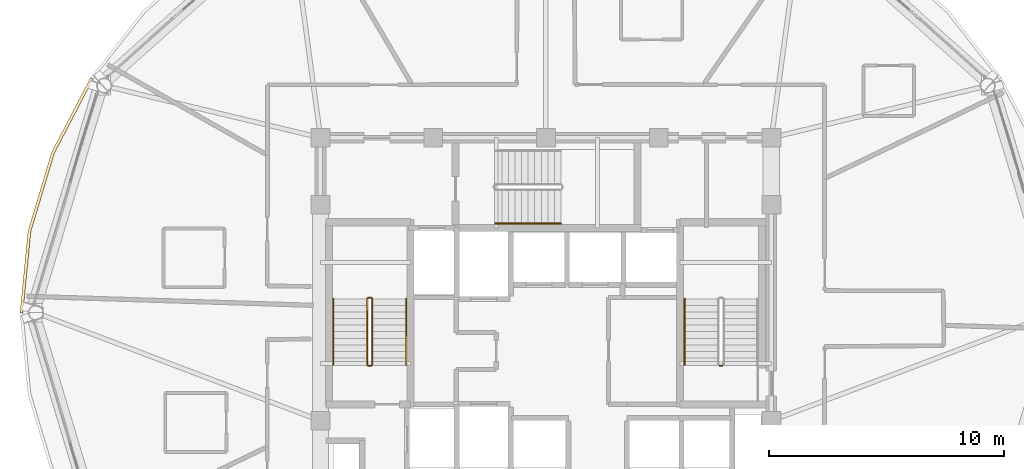
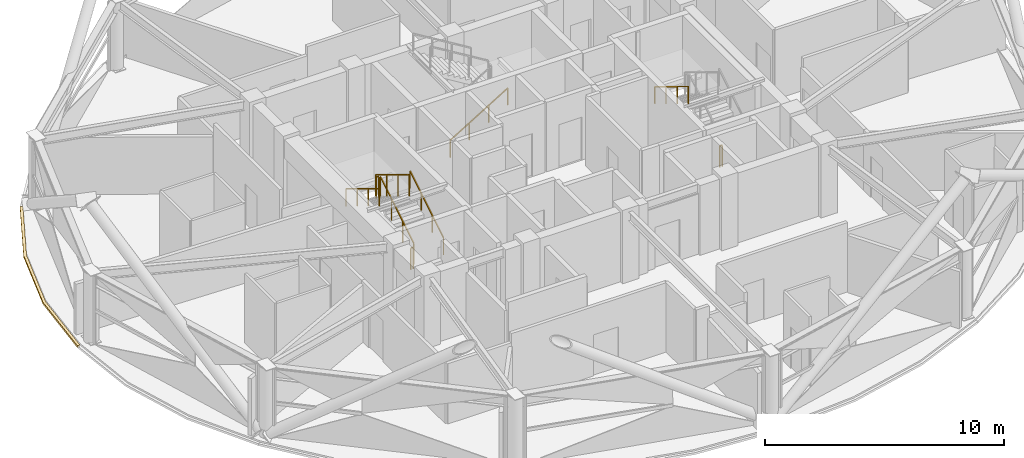
# One storey, part 27 of 29: 9 railings, 1 covering.
"""IFC4 building model written with IfcOpenShell, lengths in metres."""

from ifc_helpers import new_model, si_unit, direction, frame, origin, origin_2d, place, context, subcontext, project, spatial, polyline, rectangle, outline, extrude, material, layer, layer_set, type_object, element, save


model = new_model("IFC4")

# Units and contexts
model_context = context("Model", 3, precision=1e-05, world=origin(), true_north=direction((0.0, 1.0)))
body_context = subcontext(model_context, "Body", "Model", "MODEL_VIEW")
ifc_project = project(units=[si_unit("LENGTHUNIT", "METRE"), si_unit("AREAUNIT", "SQUARE_METRE"), si_unit("VOLUMEUNIT", "CUBIC_METRE"), si_unit("PLANEANGLEUNIT", "RADIAN"), si_unit("MASSUNIT", "GRAM", prefix="KILO")], contexts=[model_context])

# Site, building, storey
site_placement = place(None, origin())
site = spatial("IfcSite", under=ifc_project, at=site_placement, CompositionType="ELEMENT")
building_placement = place(site_placement, origin())
building = spatial("IfcBuilding", under=site, at=building_placement, Name="Vantalir Tower", CompositionType="ELEMENT")
storey_placement = place(building_placement, frame((0.0, 0.0, 234.89990234375)))
storey = spatial("IfcBuildingStorey", under=building, at=storey_placement, Name="L59", CompositionType="ELEMENT", Elevation=234.89990234375)

# Covering
ifc_material_1 = material(Name="Anodised champagne aluminium sill fascia", Category="aluminium")
ifc_layer = layer(ifc_material_1, 0.125)
ifc_layer_set = layer_set([ifc_layer], Name="Anodised champagne aluminium sill fascia")
covering_type = type_object("IfcCoveringType", Name="COV-SLAB-FASCIA-125", PredefinedType="CLADDING", material=ifc_layer_set)
covering_placement = place(storey_placement, frame((0.0, 0.0, -0.179931640625)))
element("IfcCovering", 1, at=covering_placement, inside=storey, type_object=covering_type, Name="L59 Perimeter Slab-Edge Sill Fascia 06", PredefinedType="CLADDING", context=body_context, shape_type="SweptSolid", body=[
    extrude(outline(polyline([(12.10693359375, 35.00390625), (10.45703125, 31.843017578125), (9.447021484375, 28.47412109375), (9.10693359375, 25.0), (9.23193359375, 25.0), (9.570068359375, 28.452880859375), (10.574951171875, 31.800048828125), (12.215087890625, 34.94091796875), (12.10693359375, 35.00390625)])), origin(), (0.0, 0.0, 1.0), 0.10498046875),
])

# Railings
ifc_material_2 = material(Name="Anodised aluminium and stainless steel guard", Category="steel")
railing_type_1 = type_object("IfcRailingType", Name="RAL-GUARD-1120", PredefinedType="GUARDRAIL", material=ifc_material_2)
railing_1_placement = place(storey_placement, frame((24.110107421875, 22.7900390625, 0.170654296875)))
element("IfcRailing", 2, at=railing_1_placement, inside=storey, type_object=railing_type_1, Name="L59 ST1 stair guard 1", PredefinedType="GUARDRAIL", context=body_context, shape_type="SweptSolid", body=[
    extrude(rectangle(XDim=0.048095703125, YDim=0.048095703125, at=origin_2d()), frame((0.0, 0.0, 1.09619140625), z_axis=(0.0, 0.854202870247, 0.519939858505), x_axis=(-1.0, 0.0, 0.0)), (0.0, 0.0, 1.0), 3.278076171875),
    extrude(rectangle(XDim=0.0419921875, YDim=0.0419921875, at=origin_2d()), origin(), (0.0, 0.0, 1.0), 1.072021484375),
    extrude(rectangle(XDim=0.0419921875, YDim=0.0419921875, at=origin_2d()), frame((0.0, 0.933349609375, 0.568115234375)), (0.0, 0.0, 1.0), 1.072021484375),
    extrude(rectangle(XDim=0.0419921875, YDim=0.0419921875, at=origin_2d()), frame((0.0, 1.86669921875, 1.13623046875)), (0.0, 0.0, 1.0), 1.072021484375),
    extrude(rectangle(XDim=0.0419921875, YDim=0.0419921875, at=origin_2d()), frame((0.0, 2.800048828125, 1.704345703125)), (0.0, 0.0, 1.0), 1.072021484375),
])
railing_2_placement = place(storey_placement, frame((24.06005859375, 25.639892578125, 1.875)))
element("IfcRailing", 3, at=railing_2_placement, inside=storey, type_object=railing_type_1, Name="L59 ST1 stair guard 2", PredefinedType="GUARDRAIL", context=body_context, shape_type="SweptSolid", body=[
    extrude(rectangle(XDim=0.048095703125, YDim=0.048095703125, at=origin_2d()), frame((0.0, 0.0, 1.09619140625), z_axis=(-1.0, 0.0, 0.0), x_axis=(0.0, -1.0, 0.0)), (0.0, 0.0, 1.0), 0.1201171875),
    extrude(rectangle(XDim=0.0419921875, YDim=0.0419921875, at=origin_2d()), origin(), (0.0, 0.0, 1.0), 1.072021484375),
    extrude(rectangle(XDim=0.0419921875, YDim=0.0419921875, at=origin_2d()), frame((-0.1201171875, 0.0, 0.0)), (0.0, 0.0, 1.0), 1.072021484375),
])
railing_3_placement = place(storey_placement, frame((23.889892578125, 25.590087890625, 2.045654296875)))
element("IfcRailing", 4, at=railing_3_placement, inside=storey, type_object=railing_type_1, Name="L59 ST1 stair guard 3", PredefinedType="GUARDRAIL", context=body_context, shape_type="SweptSolid", body=[
    extrude(rectangle(XDim=0.048095703125, YDim=0.048095703125, at=origin_2d()), frame((0.0, 0.0, 1.09619140625), z_axis=(0.0, -0.854202870247, 0.519939858505), x_axis=(1.0, 0.0, 0.0)), (0.0, 0.0, 1.0), 3.278076171875),
    extrude(rectangle(XDim=0.0419921875, YDim=0.0419921875, at=origin_2d()), origin(), (0.0, 0.0, 1.0), 1.072021484375),
    extrude(rectangle(XDim=0.0419921875, YDim=0.0419921875, at=origin_2d()), frame((0.0, -0.933349609375, 0.568115234375)), (0.0, 0.0, 1.0), 1.072021484375),
    extrude(rectangle(XDim=0.0419921875, YDim=0.0419921875, at=origin_2d()), frame((0.0, -1.86669921875, 1.13623046875)), (0.0, 0.0, 1.0), 1.072021484375),
    extrude(rectangle(XDim=0.0419921875, YDim=0.0419921875, at=origin_2d()), frame((0.0, -2.800048828125, 1.704345703125)), (0.0, 0.0, 1.0), 1.072021484375),
])
for number, where, name in (
    (5, (24.06005859375, 22.739990234375, 0.0), "L59 ST1 stair guard 4"),
    (6, (39.010009765625, 22.739990234375, 0.0), "L59 ST2 stair guard 4"),
):
    element("IfcRailing", number, at=place(storey_placement, frame(where)), inside=storey, type_object=railing_type_1, Name=name, PredefinedType="GUARDRAIL", context=body_context, shape_type="SweptSolid", body=[
        extrude(rectangle(XDim=0.048095703125, YDim=0.048095703125, at=origin_2d()), frame((0.0, 0.0, 1.09619140625), z_axis=(-1.0, 0.0, 0.0), x_axis=(0.0, -1.0, 0.0)), (0.0, 0.0, 1.0), 0.1201171875),
        extrude(rectangle(XDim=0.0419921875, YDim=0.0419921875, at=origin_2d()), origin(), (0.0, 0.0, 1.0), 1.072021484375),
        extrude(rectangle(XDim=0.0419921875, YDim=0.0419921875, at=origin_2d()), frame((-0.1201171875, 0.0, 0.0)), (0.0, 0.0, 1.0), 1.072021484375),
    ])
ifc_material_3 = material(Name="Brushed stainless steel tubular handrail", Category="steel")
railing_type_2 = type_object("IfcRailingType", Name="RAL-HANDRAIL-900", PredefinedType="HANDRAIL", material=ifc_material_3)
railing_4_placement = place(storey_placement, frame((25.550048828125, 22.7900390625, 0.170654296875)))
element("IfcRailing", 7, at=railing_4_placement, inside=storey, type_object=railing_type_2, Name="L59 ST1 stair handrail 1", PredefinedType="HANDRAIL", context=body_context, shape_type="SweptSolid", body=[
    extrude(rectangle(XDim=0.048095703125, YDim=0.048095703125, at=origin_2d()), frame((0.0, 0.0, 0.8759765625), z_axis=(0.0, 0.854202870247, 0.519939858505), x_axis=(-1.0, 0.0, 0.0)), (0.0, 0.0, 1.0), 3.278076171875),
    extrude(rectangle(XDim=0.0419921875, YDim=0.0419921875, at=origin_2d()), origin(), (0.0, 0.0, 1.0), 0.851806640625),
    extrude(rectangle(XDim=0.0419921875, YDim=0.0419921875, at=origin_2d()), frame((0.0, 0.933349609375, 0.568115234375)), (0.0, 0.0, 1.0), 0.851806640625),
    extrude(rectangle(XDim=0.0419921875, YDim=0.0419921875, at=origin_2d()), frame((0.0, 1.86669921875, 1.13623046875)), (0.0, 0.0, 1.0), 0.851806640625),
    extrude(rectangle(XDim=0.0419921875, YDim=0.0419921875, at=origin_2d()), frame((0.0, 2.800048828125, 1.704345703125)), (0.0, 0.0, 1.0), 0.851806640625),
])
for number, where, name in (
    (8, (22.449951171875, 25.590087890625, 2.045654296875), "L59 ST1 stair handrail 2"),
    (9, (37.39990234375, 25.590087890625, 2.045654296875), "L59 ST2 stair handrail 2"),
):
    element("IfcRailing", number, at=place(storey_placement, frame(where)), inside=storey, type_object=railing_type_2, Name=name, PredefinedType="HANDRAIL", context=body_context, shape_type="SweptSolid", body=[
        extrude(rectangle(XDim=0.048095703125, YDim=0.048095703125, at=origin_2d()), frame((0.0, 0.0, 0.8759765625), z_axis=(0.0, -0.854202870247, 0.519939858505), x_axis=(1.0, 0.0, 0.0)), (0.0, 0.0, 1.0), 3.278076171875),
        extrude(rectangle(XDim=0.0419921875, YDim=0.0419921875, at=origin_2d()), origin(), (0.0, 0.0, 1.0), 0.851806640625),
        extrude(rectangle(XDim=0.0419921875, YDim=0.0419921875, at=origin_2d()), frame((0.0, -0.933349609375, 0.568115234375)), (0.0, 0.0, 1.0), 0.851806640625),
        extrude(rectangle(XDim=0.0419921875, YDim=0.0419921875, at=origin_2d()), frame((0.0, -1.86669921875, 1.13623046875)), (0.0, 0.0, 1.0), 0.851806640625),
        extrude(rectangle(XDim=0.0419921875, YDim=0.0419921875, at=origin_2d()), frame((0.0, -2.800048828125, 1.704345703125)), (0.0, 0.0, 1.0), 0.851806640625),
    ])
railing_5_placement = place(storey_placement, frame((29.340087890625, 28.800048828125, 0.170654296875)))
element("IfcRailing", 10, at=railing_5_placement, inside=storey, type_object=railing_type_2, Name="L59 ST3 stair handrail 1", PredefinedType="HANDRAIL", context=body_context, shape_type="SweptSolid", body=[
    extrude(rectangle(XDim=0.048095703125, YDim=0.048095703125, at=origin_2d()), frame((0.0, 0.0, 0.8759765625), z_axis=(0.854182733786, 0.0, 0.519972939009), x_axis=(0.0, 1.0, 0.0)), (0.0, 0.0, 1.0), 3.27783203125),
    extrude(rectangle(XDim=0.0419921875, YDim=0.0419921875, at=origin_2d()), origin(), (0.0, 0.0, 1.0), 0.851806640625),
    extrude(rectangle(XDim=0.0419921875, YDim=0.0419921875, at=origin_2d()), frame((0.933349609375, 0.0, 0.568115234375)), (0.0, 0.0, 1.0), 0.851806640625),
    extrude(rectangle(XDim=0.0419921875, YDim=0.0419921875, at=origin_2d()), frame((1.866455078125, 0.0, 1.13623046875)), (0.0, 0.0, 1.0), 0.851806640625),
    extrude(rectangle(XDim=0.0419921875, YDim=0.0419921875, at=origin_2d()), frame((2.7998046875, 0.0, 1.704345703125)), (0.0, 0.0, 1.0), 0.851806640625),
])

save(model, "model.ifc")
